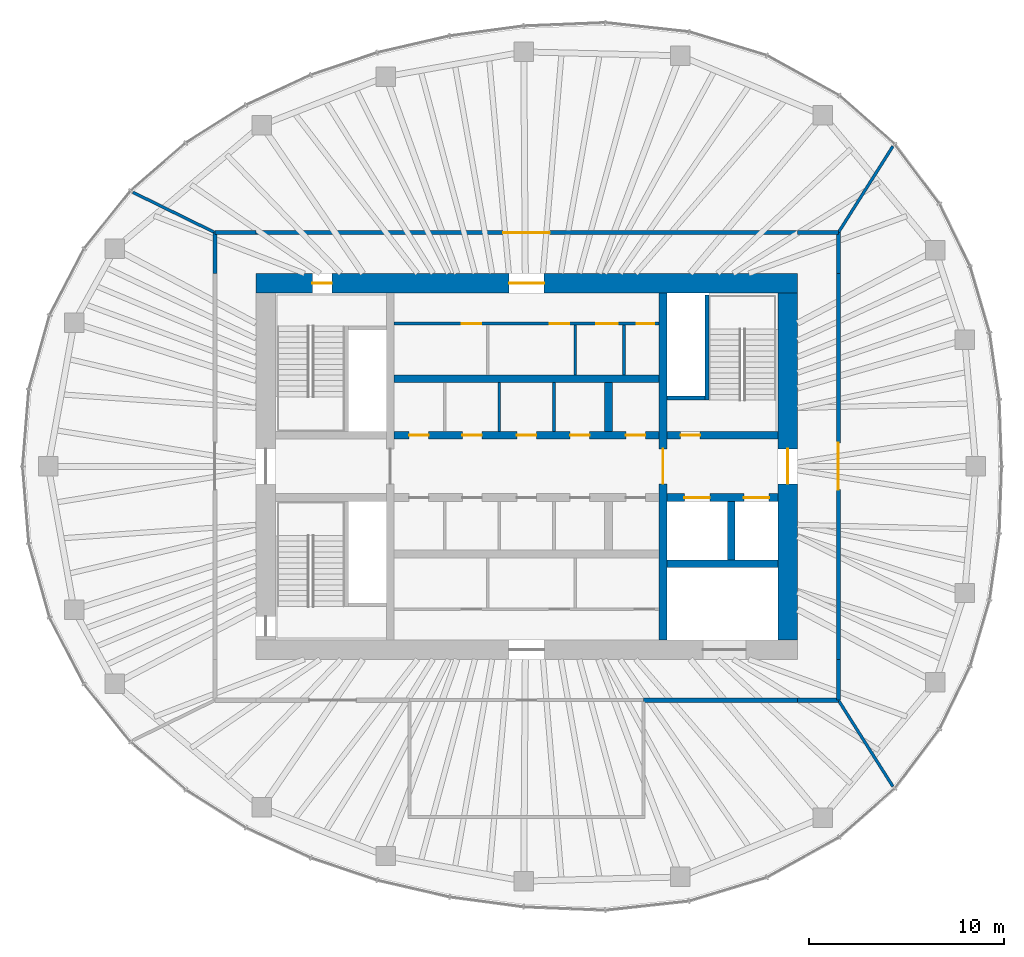
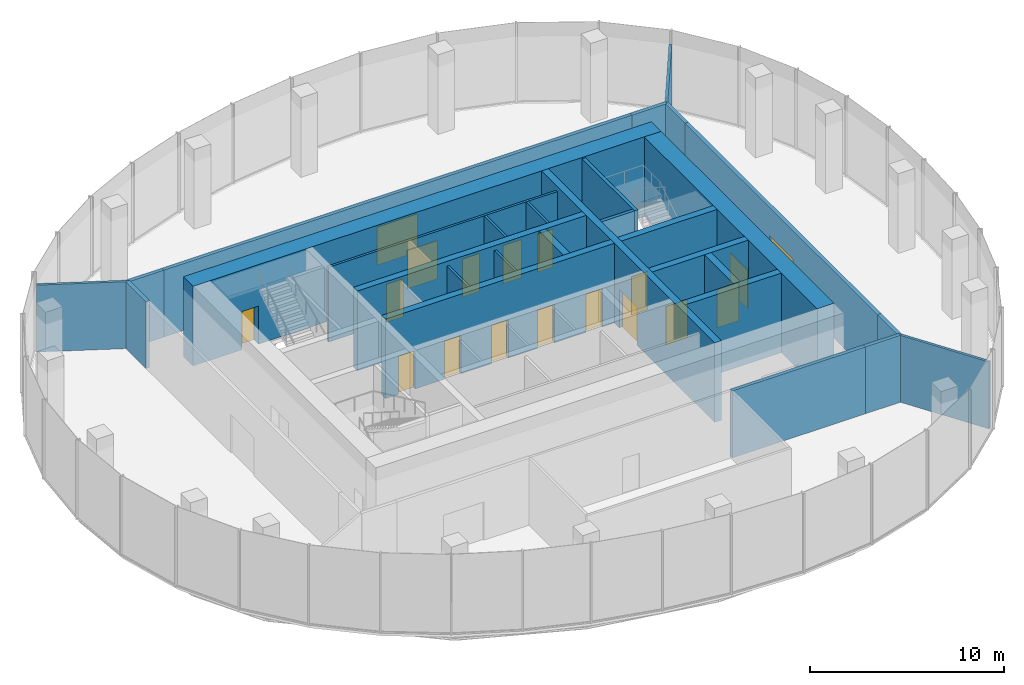
# One storey, part 9 of 11: 29 walls, 18 doors, 18 openings.
"""IFC4 building model written with IfcOpenShell, lengths in metres."""

from ifc_helpers import new_model, si_unit, direction, frame, frame_2d, origin, place, context, subcontext, project, spatial, rectangle, extrude, material, layer, layer_set, type_object, element, fill, save


model = new_model("IFC4")

# Units and contexts
model_context = context("Model", 3, precision=1e-05, world=origin(), true_north=direction((0.0, 1.0)))
body_context = subcontext(model_context, "Body", "Model", "MODEL_VIEW")
ifc_project = project(units=[si_unit("LENGTHUNIT", "METRE"), si_unit("AREAUNIT", "SQUARE_METRE"), si_unit("VOLUMEUNIT", "CUBIC_METRE"), si_unit("PLANEANGLEUNIT", "RADIAN"), si_unit("MASSUNIT", "GRAM", prefix="KILO")], contexts=[model_context])

# Site, building, storey
site_placement = place(None, origin())
site = spatial("IfcSite", under=ifc_project, at=site_placement, CompositionType="ELEMENT")
building_placement = place(site_placement, origin())
building = spatial("IfcBuilding", under=site, at=building_placement, Name="Ghaith Harvest Tower", CompositionType="ELEMENT")
storey_placement = place(building_placement, frame((0.0, 0.0, 344.199951171875)))
storey = spatial("IfcBuildingStorey", under=building, at=storey_placement, Name="L77", CompositionType="ELEMENT", Elevation=344.199951171875)

# Wall
ifc_material_1 = material(Name="Concrete blockwork, 1-hour", Category="masonry")
ifc_layer_1 = layer(ifc_material_1, 0.215087890625)
ifc_layer_set_1 = layer_set([ifc_layer_1], Name="BLOCKWORK WALL 215")
wall_type_1 = type_object("IfcWallType", Name="BLOCKWORK WALL 215", PredefinedType="PARTITIONING", material=ifc_layer_set_1)
wall_1_placement = place(storey_placement, frame((16.0, 12.0, 0.0), z_axis=(0.0, 0.0, 1.0), x_axis=(-1.0, 0.0, 0.0)))
element("IfcWall", 1, at=wall_1_placement, inside=storey, type_object=wall_type_1, Name="Plant room wall L77", PredefinedType="PARTITIONING", context=body_context, shape_type="SweptSolid", body=[
    extrude(rectangle(XDim=2.10009765625, YDim=0.215087890625, at=frame_2d((1.050048828125, 0.0))), origin(), (0.0, 0.0, 1.0), 4.199951171875),
])

# Wall, opening, door
wall_2_placement = place(storey_placement, frame((13.89990234375, 12.0, 0.0), z_axis=(0.0, 0.0, 1.0), x_axis=(-1.0, 0.0, 0.0)))
wall_2 = element("IfcWall", 2, at=wall_2_placement, inside=storey, type_object=wall_type_1, Name="Plant room wall L77", PredefinedType="PARTITIONING", context=body_context, shape_type="SweptSolid", body=[
    extrude(rectangle(XDim=27.7998046875, YDim=0.215087890625, at=frame_2d((13.89990234375, 0.0))), origin(), (0.0, 0.0, 1.0), 4.199951171875),
])
opening_1_placement = place(wall_2_placement, frame((12.699951171875, 0.0, 0.0)))
opening_1 = element("IfcOpeningElement", 3, at=opening_1_placement, cuts=wall_2, Name="Opening 77-031", PredefinedType="OPENING", context=body_context, shape_type="SweptSolid", body=[
    extrude(rectangle(XDim=2.39990234375, YDim=2.39990234375, at=frame_2d((1.199951171875, 1.199951171875))), frame((0.0, 0.11767578125, 0.0), z_axis=(0.0, -1.0, 0.0), x_axis=(1.0, 0.0, 0.0)), (0.0, 0.0, 1.0), 0.235107421875),
])
ifc_material_2 = material(Name="Timber door", Category="wood")
door_type_1 = type_object("IfcDoorType", Name="D10 PLANT PAIR 2400x2400", OperationType="DOUBLE_DOOR_SINGLE_SWING", PredefinedType="DOOR", material=ifc_material_2)
door_1_placement = place(opening_1_placement, origin())
door_1 = element("IfcDoor", 4, at=door_1_placement, inside=storey, type_object=door_type_1, Name="Lantern plant room north door", OperationType="DOUBLE_DOOR_SINGLE_SWING", OverallHeight=2.39990234375, OverallWidth=2.39990234375, PredefinedType="DOOR", context=body_context, shape_type="SweptSolid", body=[
    extrude(rectangle(XDim=2.39990234375, YDim=2.39990234375, at=frame_2d((1.199951171875, 1.199951171875))), frame((0.0, 0.02490234375, 0.0), z_axis=(0.0, -1.0, 0.0), x_axis=(1.0, 0.0, 0.0)), (0.0, 0.0, 1.0), 0.050048828125),
])
fill(opening_1, door_1)

# Walls
for number, where, z_axis, x_axis, name in (
    (5, (-13.89990234375, 12.0, 0.0), (0.0, 0.0, 1.0), (-1.0, 0.0, 0.0), "Plant room wall L77"),
    (6, (16.0, -12.0, 0.0), (0.0, 0.0, 1.0), (0.0, 1.0, 0.0), "Plant room wall L77"),
):
    element("IfcWall", number, at=place(storey_placement, frame(where, z_axis=z_axis, x_axis=x_axis)), inside=storey, type_object=wall_type_1, Name=name, PredefinedType="PARTITIONING", context=body_context, shape_type="SweptSolid", body=[
        extrude(rectangle(XDim=2.10009765625, YDim=0.215087890625, at=frame_2d((1.050048828125, 0.0))), origin(), (0.0, 0.0, 1.0), 4.199951171875),
    ])

# Wall, opening, door
wall_3_placement = place(storey_placement, frame((16.0, -9.89990234375, 0.0), z_axis=(0.0, 0.0, 1.0), x_axis=(0.0, 1.0, 0.0)))
wall_3 = element("IfcWall", 7, at=wall_3_placement, inside=storey, type_object=wall_type_1, Name="Plant room wall L77", PredefinedType="PARTITIONING", context=body_context, shape_type="SweptSolid", body=[
    extrude(rectangle(XDim=19.7998046875, YDim=0.215087890625, at=frame_2d((9.89990234375, 0.0))), origin(), (0.0, 0.0, 1.0), 4.199951171875),
])
opening_2_placement = place(wall_3_placement, frame((8.699951171875, 0.0, 0.0)))
opening_2 = element("IfcOpeningElement", 8, at=opening_2_placement, cuts=wall_3, Name="Opening 77-032", PredefinedType="OPENING", context=body_context, shape_type="SweptSolid", body=[
    extrude(rectangle(XDim=2.39990234375, YDim=2.39990234375, at=frame_2d((1.199951171875, 1.199951171875))), frame((0.0, 0.11767578125, 0.0), z_axis=(0.0, -1.0, 0.0), x_axis=(1.0, 0.0, 0.0)), (0.0, 0.0, 1.0), 0.235107421875),
])
door_2_placement = place(opening_2_placement, origin())
door_2 = element("IfcDoor", 9, at=door_2_placement, inside=storey, type_object=door_type_1, Name="Smoke extract plant room east door", OperationType="DOUBLE_DOOR_SINGLE_SWING", OverallHeight=2.39990234375, OverallWidth=2.39990234375, PredefinedType="DOOR", context=body_context, shape_type="SweptSolid", body=[
    extrude(rectangle(XDim=2.39990234375, YDim=2.39990234375, at=frame_2d((1.199951171875, 1.199951171875))), frame((0.0, 0.02490234375, 0.0), z_axis=(0.0, -1.0, 0.0), x_axis=(1.0, 0.0, 0.0)), (0.0, 0.0, 1.0), 0.050048828125),
])
fill(opening_2, door_2)

# Walls
wall_4_placement = place(storey_placement, frame((16.0, 9.89990234375, 0.0), z_axis=(0.0, 0.0, 1.0), x_axis=(0.0, 1.0, 0.0)))
element("IfcWall", 10, at=wall_4_placement, inside=storey, type_object=wall_type_1, Name="Plant room wall L77", PredefinedType="PARTITIONING", context=body_context, shape_type="SweptSolid", body=[
    extrude(rectangle(XDim=2.10009765625, YDim=0.215087890625, at=frame_2d((1.050048828125, 0.0))), origin(), (0.0, 0.0, 1.0), 4.199951171875),
])
wall_5_placement = place(storey_placement, frame((6.0, -12.0, 0.0), z_axis=(0.0, 0.0, 1.0), x_axis=(1.0, 0.0, 0.0)))
element("IfcWall", 11, at=wall_5_placement, inside=storey, type_object=wall_type_1, Name="Plant room wall L77", PredefinedType="PARTITIONING", context=body_context, shape_type="SweptSolid", body=[
    extrude(rectangle(XDim=7.89990234375, YDim=0.215087890625, at=frame_2d((3.949951171875, 0.0))), origin(), (0.0, 0.0, 1.0), 4.199951171875),
])
for number, where, z_axis, x_axis, name in (
    (12, (13.89990234375, -12.0, 0.0), (0.0, 0.0, 1.0), (1.0, 0.0, 0.0), "Plant room wall L77"),
    (13, (-16.0, 12.0, 0.0), (0.0, 0.0, 1.0), (0.0, -1.0, 0.0), "Plant room wall L77"),
):
    element("IfcWall", number, at=place(storey_placement, frame(where, z_axis=z_axis, x_axis=x_axis)), inside=storey, type_object=wall_type_1, Name=name, PredefinedType="PARTITIONING", context=body_context, shape_type="SweptSolid", body=[
        extrude(rectangle(XDim=2.10009765625, YDim=0.215087890625, at=frame_2d((1.050048828125, 0.0))), origin(), (0.0, 0.0, 1.0), 4.199951171875),
    ])

# Wall, openings, doors
ifc_material_3 = material(Name="Concrete blockwork, fair-faced", Category="masonry")
ifc_layer_2 = layer(ifc_material_3, 0.139892578125)
ifc_layer_set_2 = layer_set([ifc_layer_2], Name="CORE PARTITION 140")
wall_type_2 = type_object("IfcWallType", Name="CORE PARTITION 140", PredefinedType="PARTITIONING", material=ifc_layer_set_2)
wall_6_placement = place(storey_placement, frame((-6.800048828125, 7.330078125, 0.0), z_axis=(0.0, 0.0, 1.0), x_axis=(1.0, 0.0, 0.0)))
wall_6 = element("IfcWall", 14, at=wall_6_placement, inside=storey, type_object=wall_type_2, Name="Core partition L77", PredefinedType="PARTITIONING", context=body_context, shape_type="SweptSolid", body=[
    extrude(rectangle(XDim=13.60009765625, YDim=0.139892578125, at=frame_2d((6.800048828125, 0.0))), origin(), (0.0, 0.0, 1.0), 4.699951171875),
])
opening_3_placement = place(wall_6_placement, frame((3.47998046875, 0.0, 0.0)))
opening_3 = element("IfcOpeningElement", 15, at=opening_3_placement, cuts=wall_6, Name="Opening 77-008", PredefinedType="OPENING", context=body_context, shape_type="SweptSolid", body=[
    extrude(rectangle(XDim=1.0, YDim=2.39990234375, at=frame_2d((0.5, 1.199951171875))), frame((0.0, 0.080078125, 0.0), z_axis=(0.0, -1.0, 0.0), x_axis=(1.0, 0.0, 0.0)), (0.0, 0.0, 1.0), 0.159912109375),
])
opening_4_placement = place(wall_6_placement, frame((7.97998046875, 0.0, 0.0)))
opening_4 = element("IfcOpeningElement", 16, at=opening_4_placement, cuts=wall_6, Name="Opening 77-009", PredefinedType="OPENING", context=body_context, shape_type="SweptSolid", body=[
    extrude(rectangle(XDim=1.0, YDim=2.39990234375, at=frame_2d((0.5, 1.199951171875))), frame((0.0, 0.080078125, 0.0), z_axis=(0.0, -1.0, 0.0), x_axis=(1.0, 0.0, 0.0)), (0.0, 0.0, 1.0), 0.159912109375),
])
opening_5_placement = place(wall_6_placement, frame((10.3798828125, 0.0, 0.0)))
opening_5 = element("IfcOpeningElement", 17, at=opening_5_placement, cuts=wall_6, Name="Opening 77-010", PredefinedType="OPENING", context=body_context, shape_type="SweptSolid", body=[
    extrude(rectangle(XDim=1.10009765625, YDim=2.39990234375, at=frame_2d((0.550048828125, 1.199951171875))), frame((0.0, 0.080078125, 0.0), z_axis=(0.0, -1.0, 0.0), x_axis=(1.0, 0.0, 0.0)), (0.0, 0.0, 1.0), 0.159912109375),
])
opening_6_placement = place(wall_6_placement, frame((12.449951171875, 0.0, 0.0)))
opening_6 = element("IfcOpeningElement", 18, at=opening_6_placement, cuts=wall_6, Name="Opening 77-011", PredefinedType="OPENING", context=body_context, shape_type="SweptSolid", body=[
    extrude(rectangle(XDim=0.89990234375, YDim=2.39990234375, at=frame_2d((0.449951171875, 1.199951171875))), frame((0.0, 0.080078125, 0.0), z_axis=(0.0, -1.0, 0.0), x_axis=(1.0, 0.0, 0.0)), (0.0, 0.0, 1.0), 0.159912109375),
])
ifc_material_4 = material(Name="Steel fire door", Category="steel")
door_type_2 = type_object("IfcDoorType", Name="D3 FD90 1000x2400", OperationType="SINGLE_SWING_LEFT", PredefinedType="DOOR", material=ifc_material_4)
door_3_placement = place(opening_3_placement, origin())
door_3 = element("IfcDoor", 19, at=door_3_placement, inside=storey, type_object=door_type_2, Name="Male WC door", OperationType="SINGLE_SWING_LEFT", OverallHeight=2.39990234375, OverallWidth=1.0, PredefinedType="DOOR", context=body_context, shape_type="SweptSolid", body=[
    extrude(rectangle(XDim=1.0, YDim=2.39990234375, at=frame_2d((0.5, 1.199951171875))), frame((0.0, 0.02490234375, 0.0), z_axis=(0.0, -1.0, 0.0), x_axis=(1.0, 0.0, 0.0)), (0.0, 0.0, 1.0), 0.050048828125),
])
fill(opening_3, door_3)
door_4_placement = place(opening_4_placement, origin())
door_4 = element("IfcDoor", 20, at=door_4_placement, inside=storey, type_object=door_type_2, Name="Female WC door", OperationType="SINGLE_SWING_RIGHT", OverallHeight=2.39990234375, OverallWidth=1.0, PredefinedType="DOOR", context=body_context, shape_type="SweptSolid", body=[
    extrude(rectangle(XDim=1.0, YDim=2.39990234375, at=frame_2d((0.5, 1.199951171875))), frame((0.0, 0.02490234375, 0.0), z_axis=(0.0, -1.0, 0.0), x_axis=(1.0, 0.0, 0.0)), (0.0, 0.0, 1.0), 0.050048828125),
])
fill(opening_4, door_4)
ifc_material_5 = material(Name="Steel fire door", Category="steel")
door_type_3 = type_object("IfcDoorType", Name="D5 FD90 900x2400", OperationType="SINGLE_SWING_LEFT", PredefinedType="DOOR", material=ifc_material_5)
door_5_placement = place(opening_6_placement, origin())
door_5 = element("IfcDoor", 21, at=door_5_placement, inside=storey, type_object=door_type_3, Name="Cleaner's store door", OperationType="SINGLE_SWING_RIGHT", OverallHeight=2.39990234375, OverallWidth=0.89990234375, PredefinedType="DOOR", context=body_context, shape_type="SweptSolid", body=[
    extrude(rectangle(XDim=0.89990234375, YDim=2.39990234375, at=frame_2d((0.449951171875, 1.199951171875))), frame((0.0, 0.02490234375, 0.0), z_axis=(0.0, -1.0, 0.0), x_axis=(1.0, 0.0, 0.0)), (0.0, 0.0, 1.0), 0.050048828125),
])
fill(opening_6, door_5)
ifc_material_6 = material(Name="Steel fire door", Category="steel")
door_type_4 = type_object("IfcDoorType", Name="D9 FD90 1100x2400", OperationType="SINGLE_SWING_LEFT", PredefinedType="DOOR", material=ifc_material_6)
door_6_placement = place(opening_5_placement, origin())
door_6 = element("IfcDoor", 22, at=door_6_placement, inside=storey, type_object=door_type_4, Name="Accessible WC door", OperationType="SINGLE_SWING_RIGHT", OverallHeight=2.39990234375, OverallWidth=1.10009765625, PredefinedType="DOOR", context=body_context, shape_type="SweptSolid", body=[
    extrude(rectangle(XDim=1.10009765625, YDim=2.39990234375, at=frame_2d((0.550048828125, 1.199951171875))), frame((0.0, 0.02490234375, 0.0), z_axis=(0.0, -1.0, 0.0), x_axis=(1.0, 0.0, 0.0)), (0.0, 0.0, 1.0), 0.050048828125),
])
fill(opening_5, door_6)

# Walls
for number, where, z_axis, x_axis, name in (
    (23, (2.5, 4.699951171875, 0.0), (0.0, 0.0, 1.0), (0.0, 1.0, 0.0), "Core partition L77"),
    (24, (5.0, 4.699951171875, 0.0), (0.0, 0.0, 1.0), (0.0, 1.0, 0.0), "Core partition L77"),
):
    element("IfcWall", number, at=place(storey_placement, frame(where, z_axis=z_axis, x_axis=x_axis)), inside=storey, type_object=wall_type_2, Name=name, PredefinedType="PARTITIONING", context=body_context, shape_type="SweptSolid", body=[
        extrude(rectangle(XDim=2.56005859375, YDim=0.139892578125, at=frame_2d((1.280029296875, 0.0))), origin(), (0.0, 0.0, 1.0), 4.699951171875),
    ])
for number, where, z_axis, x_axis, name in (
    (25, (-1.39990234375, 1.800048828125, 0.0), (0.0, 0.0, 1.0), (0.0, 1.0, 0.0), "Core partition L77"),
    (26, (1.39990234375, 1.800048828125, 0.0), (0.0, 0.0, 1.0), (0.0, 1.0, 0.0), "Core partition L77"),
):
    element("IfcWall", number, at=place(storey_placement, frame(where, z_axis=z_axis, x_axis=x_axis)), inside=storey, type_object=wall_type_2, Name=name, PredefinedType="PARTITIONING", context=body_context, shape_type="SweptSolid", body=[
        extrude(rectangle(XDim=2.5, YDim=0.139892578125, at=frame_2d((1.25, 0.0))), origin(), (0.0, 0.0, 1.0), 4.699951171875),
    ])

# Wall, openings, doors
ifc_material_7 = material(Name="Concrete C50/60", Category="concrete")
ifc_layer_3 = layer(ifc_material_7, 1.0)
ifc_layer_set_3 = layer_set([ifc_layer_3], Name="CORE WALL CW1000")
wall_type_3 = type_object("IfcWallType", Name="CORE WALL CW1000", PredefinedType="SHEAR", material=ifc_layer_set_3)
wall_7_placement = place(storey_placement, frame((13.89990234375, 9.39990234375, 0.0), z_axis=(0.0, 0.0, 1.0), x_axis=(-1.0, 0.0, 0.0)))
wall_7 = element("IfcWall", 27, at=wall_7_placement, inside=storey, type_object=wall_type_3, Name="Core wall N L77", PredefinedType="SHEAR", context=body_context, shape_type="SweptSolid", body=[
    extrude(rectangle(XDim=27.7998046875, YDim=1.0, at=frame_2d((13.89990234375, 0.0))), origin(), (0.0, 0.0, 1.0), 5.0),
])
opening_7_placement = place(wall_7_placement, frame((23.89990234375, 0.0, 0.0)))
opening_7 = element("IfcOpeningElement", 28, at=opening_7_placement, cuts=wall_7, Name="Opening 77-005", PredefinedType="OPENING", context=body_context, shape_type="SweptSolid", body=[
    extrude(rectangle(XDim=1.0, YDim=2.39990234375, at=frame_2d((0.5, 1.199951171875))), frame((0.0, 0.510009765625, 0.0), z_axis=(0.0, -1.0, 0.0), x_axis=(1.0, 0.0, 0.0)), (0.0, 0.0, 1.0), 1.02001953125),
])
opening_8_placement = place(wall_7_placement, frame((13.0, 0.0, 0.0)))
opening_8 = element("IfcOpeningElement", 29, at=opening_8_placement, cuts=wall_7, Name="Opening 77-025", PredefinedType="OPENING", context=body_context, shape_type="SweptSolid", body=[
    extrude(rectangle(XDim=1.800048828125, YDim=2.39990234375, at=frame_2d((0.89990234375, 1.199951171875))), frame((0.0, 0.510009765625, 0.0), z_axis=(0.0, -1.0, 0.0), x_axis=(1.0, 0.0, 0.0)), (0.0, 0.0, 1.0), 1.02001953125),
])
door_7_placement = place(opening_7_placement, origin())
door_7 = element("IfcDoor", 30, at=door_7_placement, inside=storey, type_object=door_type_2, Name="Stair ST1 door", OperationType="SINGLE_SWING_RIGHT", OverallHeight=2.39990234375, OverallWidth=1.0, PredefinedType="DOOR", context=body_context, shape_type="SweptSolid", body=[
    extrude(rectangle(XDim=1.0, YDim=2.39990234375, at=frame_2d((0.5, 1.199951171875))), frame((0.0, 0.02490234375, 0.0), z_axis=(0.0, -1.0, 0.0), x_axis=(1.0, 0.0, 0.0)), (0.0, 0.0, 1.0), 0.050048828125),
])
fill(opening_7, door_7)
ifc_material_8 = material(Name="Steel fire door", Category="steel")
door_type_5 = type_object("IfcDoorType", Name="D4 FD90 PAIR 1800x2400", OperationType="DOUBLE_DOOR_SINGLE_SWING", PredefinedType="DOOR", material=ifc_material_8)
door_8_placement = place(opening_8_placement, origin())
door_8 = element("IfcDoor", 31, at=door_8_placement, inside=storey, type_object=door_type_5, Name="Core service corridor doors", OperationType="DOUBLE_DOOR_SINGLE_SWING", OverallHeight=2.39990234375, OverallWidth=1.800048828125, PredefinedType="DOOR", context=body_context, shape_type="SweptSolid", body=[
    extrude(rectangle(XDim=1.800048828125, YDim=2.39990234375, at=frame_2d((0.89990234375, 1.199951171875))), frame((0.0, 0.02490234375, 0.0), z_axis=(0.0, -1.0, 0.0), x_axis=(1.0, 0.0, 0.0)), (0.0, 0.0, 1.0), 0.050048828125),
])
fill(opening_8, door_8)

# Wall, opening, door
wall_8_placement = place(storey_placement, frame((13.39990234375, -8.89990234375, 0.0), z_axis=(0.0, 0.0, 1.0), x_axis=(0.0, 1.0, 0.0)))
wall_8 = element("IfcWall", 32, at=wall_8_placement, inside=storey, type_object=wall_type_3, Name="Core wall E L77", PredefinedType="SHEAR", context=body_context, shape_type="SweptSolid", body=[
    extrude(rectangle(XDim=17.7998046875, YDim=1.0, at=frame_2d((8.89990234375, 0.0))), origin(), (0.0, 0.0, 1.0), 5.0),
])
opening_9_placement = place(wall_8_placement, frame((8.0, 0.0, 0.0)))
opening_9 = element("IfcOpeningElement", 33, at=opening_9_placement, cuts=wall_8, Name="Opening 77-002", PredefinedType="OPENING", context=body_context, shape_type="SweptSolid", body=[
    extrude(rectangle(XDim=1.800048828125, YDim=2.39990234375, at=frame_2d((0.89990234375, 1.199951171875))), frame((0.0, 0.510009765625, 0.0), z_axis=(0.0, -1.0, 0.0), x_axis=(1.0, 0.0, 0.0)), (0.0, 0.0, 1.0), 1.02001953125),
])
door_9_placement = place(opening_9_placement, origin())
door_9 = element("IfcDoor", 34, at=door_9_placement, inside=storey, type_object=door_type_5, Name="Fire-fighting lobby doors", OperationType="DOUBLE_DOOR_SINGLE_SWING", OverallHeight=2.39990234375, OverallWidth=1.800048828125, PredefinedType="DOOR", context=body_context, shape_type="SweptSolid", body=[
    extrude(rectangle(XDim=1.800048828125, YDim=2.39990234375, at=frame_2d((0.89990234375, 1.199951171875))), frame((0.0, 0.02490234375, 0.0), z_axis=(0.0, -1.0, 0.0), x_axis=(1.0, 0.0, 0.0)), (0.0, 0.0, 1.0), 0.050048828125),
])
fill(opening_9, door_9)

# Walls
ifc_material_9 = material(Name="Gypsum board on steel studs", Category="steel")
ifc_layer_4 = layer(ifc_material_9, 0.14990234375)
ifc_layer_set_4 = layer_set([ifc_layer_4], Name="PARTITION 150")
wall_type_4 = type_object("IfcWallType", Name="PARTITION 150", PredefinedType="PARTITIONING", material=ifc_layer_set_4)
wall_9_placement = place(storey_placement, frame((-16.017822265625, 12.0087890625, 0.0), z_axis=(0.0, 0.0, 1.0), x_axis=(-0.897771840996, 0.440460805879, 0.0)))
element("IfcWall", 35, at=wall_9_placement, inside=storey, type_object=wall_type_4, Name="Partition L77 zone division", PredefinedType="PARTITIONING", context=body_context, shape_type="SweptSolid", body=[
    extrude(rectangle(XDim=4.66552734375, YDim=0.14990234375, at=frame_2d((2.332763671875, 0.0))), origin(), (0.0, 0.0, 1.0), 4.199951171875),
])
for number, where, z_axis, x_axis, name in (
    (36, (16.0107421875, -12.016845703125, 0.0), (0.0, 0.0, 1.0), (0.53415837449, -0.845384427916, 0.0), "Partition L77 zone division"),
    (37, (16.0107421875, 12.016845703125, 0.0), (0.0, 0.0, 1.0), (0.53415837449, 0.845384427916, 0.0), "Partition L77 zone division"),
):
    element("IfcWall", number, at=place(storey_placement, frame(where, z_axis=z_axis, x_axis=x_axis)), inside=storey, type_object=wall_type_4, Name=name, PredefinedType="PARTITIONING", context=body_context, shape_type="SweptSolid", body=[
        extrude(rectangle(XDim=5.220458984375, YDim=0.14990234375, at=frame_2d((2.6103515625, 0.0))), origin(), (0.0, 0.0, 1.0), 4.199951171875),
    ])

# Wall, opening, door
ifc_material_10 = material(Name="Concrete C70/85", Category="concrete")
ifc_layer_5 = layer(ifc_material_10, 0.39990234375)
ifc_layer_set_5 = layer_set([ifc_layer_5], Name="SHAFT WALL 400")
wall_type_5 = type_object("IfcWallType", Name="SHAFT WALL 400", PredefinedType="SHEAR", material=ifc_layer_set_5)
wall_10_placement = place(storey_placement, frame((7.0, -8.89990234375, 0.0), z_axis=(0.0, 0.0, 1.0), x_axis=(0.0, 1.0, 0.0)))
wall_10 = element("IfcWall", 38, at=wall_10_placement, inside=storey, type_object=wall_type_5, Name="Shaft wall W7E L77", PredefinedType="SHEAR", context=body_context, shape_type="SweptSolid", body=[
    extrude(rectangle(XDim=17.7998046875, YDim=0.39990234375, at=frame_2d((8.89990234375, 0.0))), origin(), (0.0, 0.0, 1.0), 5.0),
])
opening_10_placement = place(wall_10_placement, frame((8.0, 0.0, 0.0)))
opening_10 = element("IfcOpeningElement", 39, at=opening_10_placement, cuts=wall_10, Name="Opening 77-004", PredefinedType="OPENING", context=body_context, shape_type="SweptSolid", body=[
    extrude(rectangle(XDim=1.800048828125, YDim=2.39990234375, at=frame_2d((0.89990234375, 1.199951171875))), frame((0.0, 0.2099609375, 0.0), z_axis=(0.0, -1.0, 0.0), x_axis=(1.0, 0.0, 0.0)), (0.0, 0.0, 1.0), 0.419921875),
])
door_10_placement = place(opening_10_placement, origin())
door_10 = element("IfcDoor", 40, at=door_10_placement, inside=storey, type_object=door_type_5, Name="Lift lobby doors, east", OperationType="DOUBLE_DOOR_SINGLE_SWING", OverallHeight=2.39990234375, OverallWidth=1.800048828125, PredefinedType="DOOR", context=body_context, shape_type="SweptSolid", body=[
    extrude(rectangle(XDim=1.800048828125, YDim=2.39990234375, at=frame_2d((0.89990234375, 1.199951171875))), frame((0.0, 0.02490234375, 0.0), z_axis=(0.0, -1.0, 0.0), x_axis=(1.0, 0.0, 0.0)), (0.0, 0.0, 1.0), 0.050048828125),
])
fill(opening_10, door_10)

# Wall, openings, doors
wall_11_placement = place(storey_placement, frame((-6.800048828125, 1.60009765625, 0.0), z_axis=(0.0, 0.0, 1.0), x_axis=(1.0, 0.0, 0.0)))
wall_11 = element("IfcWall", 41, at=wall_11_placement, inside=storey, type_object=wall_type_5, Name="Shaft wall LN L77", PredefinedType="SHEAR", context=body_context, shape_type="SweptSolid", body=[
    extrude(rectangle(XDim=13.60009765625, YDim=0.39990234375, at=frame_2d((6.800048828125, 0.0))), origin(), (0.0, 0.0, 1.0), 5.0),
])
opening_11_placement = place(wall_11_placement, frame((0.764892578125, 0.0, 0.0)))
opening_11 = element("IfcOpeningElement", 42, at=opening_11_placement, cuts=wall_11, Name="Opening 77-015", PredefinedType="OPENING", context=body_context, shape_type="SweptSolid", body=[
    extrude(rectangle(XDim=1.0, YDim=2.39990234375, at=frame_2d((0.5, 1.199951171875))), frame((0.0, 0.2099609375, 0.0), z_axis=(0.0, -1.0, 0.0), x_axis=(1.0, 0.0, 0.0)), (0.0, 0.0, 1.0), 0.419921875),
])
opening_12_placement = place(wall_11_placement, frame((3.5, 0.0, 0.0)))
opening_12 = element("IfcOpeningElement", 43, at=opening_12_placement, cuts=wall_11, Name="Opening 77-016", PredefinedType="OPENING", context=body_context, shape_type="SweptSolid", body=[
    extrude(rectangle(XDim=1.0, YDim=2.39990234375, at=frame_2d((0.5, 1.199951171875))), frame((0.0, 0.2099609375, 0.0), z_axis=(0.0, -1.0, 0.0), x_axis=(1.0, 0.0, 0.0)), (0.0, 0.0, 1.0), 0.419921875),
])
opening_13_placement = place(wall_11_placement, frame((6.300048828125, 0.0, 0.0)))
opening_13 = element("IfcOpeningElement", 44, at=opening_13_placement, cuts=wall_11, Name="Opening 77-017", PredefinedType="OPENING", context=body_context, shape_type="SweptSolid", body=[
    extrude(rectangle(XDim=1.0, YDim=2.39990234375, at=frame_2d((0.5, 1.199951171875))), frame((0.0, 0.2099609375, 0.0), z_axis=(0.0, -1.0, 0.0), x_axis=(1.0, 0.0, 0.0)), (0.0, 0.0, 1.0), 0.419921875),
])
opening_14_placement = place(wall_11_placement, frame((9.034912109375, 0.0, 0.0)))
opening_14 = element("IfcOpeningElement", 45, at=opening_14_placement, cuts=wall_11, Name="Opening 77-018", PredefinedType="OPENING", context=body_context, shape_type="SweptSolid", body=[
    extrude(rectangle(XDim=1.0, YDim=2.39990234375, at=frame_2d((0.5, 1.199951171875))), frame((0.0, 0.2099609375, 0.0), z_axis=(0.0, -1.0, 0.0), x_axis=(1.0, 0.0, 0.0)), (0.0, 0.0, 1.0), 0.419921875),
])
opening_15_placement = place(wall_11_placement, frame((11.89990234375, 0.0, 0.0)))
opening_15 = element("IfcOpeningElement", 46, at=opening_15_placement, cuts=wall_11, Name="Opening 77-023", PredefinedType="OPENING", context=body_context, shape_type="SweptSolid", body=[
    extrude(rectangle(XDim=1.0, YDim=2.39990234375, at=frame_2d((0.5, 1.199951171875))), frame((0.0, 0.2099609375, 0.0), z_axis=(0.0, -1.0, 0.0), x_axis=(1.0, 0.0, 0.0)), (0.0, 0.0, 1.0), 0.419921875),
])
door_11_placement = place(opening_11_placement, origin())
door_11 = element("IfcDoor", 47, at=door_11_placement, inside=storey, type_object=door_type_2, Name="Mechanical plant room door", OperationType="SINGLE_SWING_LEFT", OverallHeight=2.39990234375, OverallWidth=1.0, PredefinedType="DOOR", context=body_context, shape_type="SweptSolid", body=[
    extrude(rectangle(XDim=1.0, YDim=2.39990234375, at=frame_2d((0.5, 1.199951171875))), frame((0.0, 0.02490234375, 0.0), z_axis=(0.0, -1.0, 0.0), x_axis=(1.0, 0.0, 0.0)), (0.0, 0.0, 1.0), 0.050048828125),
])
fill(opening_11, door_11)
door_12_placement = place(opening_12_placement, origin())
door_12 = element("IfcDoor", 48, at=door_12_placement, inside=storey, type_object=door_type_2, Name="Electrical switch room door", OperationType="SINGLE_SWING_LEFT", OverallHeight=2.39990234375, OverallWidth=1.0, PredefinedType="DOOR", context=body_context, shape_type="SweptSolid", body=[
    extrude(rectangle(XDim=1.0, YDim=2.39990234375, at=frame_2d((0.5, 1.199951171875))), frame((0.0, 0.02490234375, 0.0), z_axis=(0.0, -1.0, 0.0), x_axis=(1.0, 0.0, 0.0)), (0.0, 0.0, 1.0), 0.050048828125),
])
fill(opening_12, door_12)
door_13_placement = place(opening_13_placement, origin())
door_13 = element("IfcDoor", 49, at=door_13_placement, inside=storey, type_object=door_type_2, Name="Mechanical plant room door", OperationType="SINGLE_SWING_LEFT", OverallHeight=2.39990234375, OverallWidth=1.0, PredefinedType="DOOR", context=body_context, shape_type="SweptSolid", body=[
    extrude(rectangle(XDim=1.0, YDim=2.39990234375, at=frame_2d((0.5, 1.199951171875))), frame((0.0, 0.02490234375, 0.0), z_axis=(0.0, -1.0, 0.0), x_axis=(1.0, 0.0, 0.0)), (0.0, 0.0, 1.0), 0.050048828125),
])
fill(opening_13, door_13)
door_14_placement = place(opening_14_placement, origin())
door_14 = element("IfcDoor", 50, at=door_14_placement, inside=storey, type_object=door_type_2, Name="Mechanical plant room door", OperationType="SINGLE_SWING_RIGHT", OverallHeight=2.39990234375, OverallWidth=1.0, PredefinedType="DOOR", context=body_context, shape_type="SweptSolid", body=[
    extrude(rectangle(XDim=1.0, YDim=2.39990234375, at=frame_2d((0.5, 1.199951171875))), frame((0.0, 0.02490234375, 0.0), z_axis=(0.0, -1.0, 0.0), x_axis=(1.0, 0.0, 0.0)), (0.0, 0.0, 1.0), 0.050048828125),
])
fill(opening_14, door_14)
door_15_placement = place(opening_15_placement, origin())
door_15 = element("IfcDoor", 51, at=door_15_placement, inside=storey, type_object=door_type_2, Name="Mechanical plant room door", OperationType="SINGLE_SWING_RIGHT", OverallHeight=2.39990234375, OverallWidth=1.0, PredefinedType="DOOR", context=body_context, shape_type="SweptSolid", body=[
    extrude(rectangle(XDim=1.0, YDim=2.39990234375, at=frame_2d((0.5, 1.199951171875))), frame((0.0, 0.02490234375, 0.0), z_axis=(0.0, -1.0, 0.0), x_axis=(1.0, 0.0, 0.0)), (0.0, 0.0, 1.0), 0.050048828125),
])
fill(opening_15, door_15)

# Wall
wall_12_placement = place(storey_placement, frame((-6.800048828125, 4.5, 0.0), z_axis=(0.0, 0.0, 1.0), x_axis=(1.0, 0.0, 0.0)))
element("IfcWall", 52, at=wall_12_placement, inside=storey, type_object=wall_type_5, Name="Shaft wall BN L77", PredefinedType="SHEAR", context=body_context, shape_type="SweptSolid", body=[
    extrude(rectangle(XDim=13.60009765625, YDim=0.39990234375, at=frame_2d((6.800048828125, 0.0))), origin(), (0.0, 0.0, 1.0), 5.0),
])

# Wall, opening, door
wall_13_placement = place(storey_placement, frame((7.199951171875, 1.60009765625, 0.0), z_axis=(0.0, 0.0, 1.0), x_axis=(1.0, 0.0, 0.0)))
wall_13 = element("IfcWall", 53, at=wall_13_placement, inside=storey, type_object=wall_type_5, Name="Shaft wall EN L77", PredefinedType="SHEAR", context=body_context, shape_type="SweptSolid", body=[
    extrude(rectangle(XDim=5.699951171875, YDim=0.39990234375, at=frame_2d((2.85009765625, 0.0))), origin(), (0.0, 0.0, 1.0), 5.0),
])
opening_16_placement = place(wall_13_placement, frame((0.699951171875, 0.0, 0.0)))
opening_16 = element("IfcOpeningElement", 54, at=opening_16_placement, cuts=wall_13, Name="Opening 77-007", PredefinedType="OPENING", context=body_context, shape_type="SweptSolid", body=[
    extrude(rectangle(XDim=1.0, YDim=2.39990234375, at=frame_2d((0.5, 1.199951171875))), frame((0.0, 0.2099609375, 0.0), z_axis=(0.0, -1.0, 0.0), x_axis=(1.0, 0.0, 0.0)), (0.0, 0.0, 1.0), 0.419921875),
])
door_16_placement = place(opening_16_placement, origin())
door_16 = element("IfcDoor", 55, at=door_16_placement, inside=storey, type_object=door_type_2, Name="Stair ST2 door", OperationType="SINGLE_SWING_LEFT", OverallHeight=2.39990234375, OverallWidth=1.0, PredefinedType="DOOR", context=body_context, shape_type="SweptSolid", body=[
    extrude(rectangle(XDim=1.0, YDim=2.39990234375, at=frame_2d((0.5, 1.199951171875))), frame((0.0, 0.02490234375, 0.0), z_axis=(0.0, -1.0, 0.0), x_axis=(1.0, 0.0, 0.0)), (0.0, 0.0, 1.0), 0.050048828125),
])
fill(opening_16, door_16)

# Wall, openings, doors
wall_14_placement = place(storey_placement, frame((7.199951171875, -1.60009765625, 0.0), z_axis=(0.0, 0.0, 1.0), x_axis=(1.0, 0.0, 0.0)))
wall_14 = element("IfcWall", 56, at=wall_14_placement, inside=storey, type_object=wall_type_5, Name="Shaft wall ES L77", PredefinedType="SHEAR", context=body_context, shape_type="SweptSolid", body=[
    extrude(rectangle(XDim=5.699951171875, YDim=0.39990234375, at=frame_2d((2.85009765625, 0.0))), origin(), (0.0, 0.0, 1.0), 5.0),
])
opening_17_placement = place(wall_14_placement, frame((0.89990234375, 0.0, 0.0)))
opening_17 = element("IfcOpeningElement", 57, at=opening_17_placement, cuts=wall_14, Name="Opening 77-027", PredefinedType="OPENING", context=body_context, shape_type="SweptSolid", body=[
    extrude(rectangle(XDim=1.300048828125, YDim=2.39990234375, at=frame_2d((0.64990234375, 1.199951171875))), frame((0.0, 0.2099609375, 0.0), z_axis=(0.0, -1.0, 0.0), x_axis=(1.0, 0.0, 0.0)), (0.0, 0.0, 1.0), 0.419921875),
])
opening_18_placement = place(wall_14_placement, frame((3.949951171875, 0.0, 0.0)))
opening_18 = element("IfcOpeningElement", 58, at=opening_18_placement, cuts=wall_14, Name="Opening 77-028", PredefinedType="OPENING", context=body_context, shape_type="SweptSolid", body=[
    extrude(rectangle(XDim=1.300048828125, YDim=2.39990234375, at=frame_2d((0.64990234375, 1.199951171875))), frame((0.0, 0.2099609375, 0.0), z_axis=(0.0, -1.0, 0.0), x_axis=(1.0, 0.0, 0.0)), (0.0, 0.0, 1.0), 0.419921875),
])
ifc_material_11 = material(Name="Steel fire door", Category="steel")
door_type_6 = type_object("IfcDoorType", Name="LD2 LANDING 1300x2400", OperationType="DOUBLE_DOOR_SLIDING", PredefinedType="DOOR", material=ifc_material_11)
door_17_placement = place(opening_17_placement, origin())
door_17 = element("IfcDoor", 59, at=door_17_placement, inside=storey, type_object=door_type_6, Name="Landing door, fire service lift FL1", OperationType="DOUBLE_DOOR_SLIDING", OverallHeight=2.39990234375, OverallWidth=1.300048828125, PredefinedType="DOOR", context=body_context, shape_type="SweptSolid", body=[
    extrude(rectangle(XDim=1.300048828125, YDim=2.39990234375, at=frame_2d((0.64990234375, 1.199951171875))), frame((0.0, 0.02490234375, 0.0), z_axis=(0.0, -1.0, 0.0), x_axis=(1.0, 0.0, 0.0)), (0.0, 0.0, 1.0), 0.050048828125),
])
fill(opening_17, door_17)
door_18_placement = place(opening_18_placement, origin())
door_18 = element("IfcDoor", 60, at=door_18_placement, inside=storey, type_object=door_type_6, Name="Landing door, fire service lift FL2", OperationType="DOUBLE_DOOR_SLIDING", OverallHeight=2.39990234375, OverallWidth=1.300048828125, PredefinedType="DOOR", context=body_context, shape_type="SweptSolid", body=[
    extrude(rectangle(XDim=1.300048828125, YDim=2.39990234375, at=frame_2d((0.64990234375, 1.199951171875))), frame((0.0, 0.02490234375, 0.0), z_axis=(0.0, -1.0, 0.0), x_axis=(1.0, 0.0, 0.0)), (0.0, 0.0, 1.0), 0.050048828125),
])
fill(opening_18, door_18)

# Walls
wall_15_placement = place(storey_placement, frame((10.5, -4.800048828125, 0.0), z_axis=(0.0, 0.0, 1.0), x_axis=(0.0, 1.0, 0.0)))
element("IfcWall", 61, at=wall_15_placement, inside=storey, type_object=wall_type_5, Name="Shaft wall FLD L77", PredefinedType="SHEAR", context=body_context, shape_type="SweptSolid", body=[
    extrude(rectangle(XDim=3.0, YDim=0.39990234375, at=frame_2d((1.5, 0.0))), origin(), (0.0, 0.0, 1.0), 5.0),
])
wall_16_placement = place(storey_placement, frame((7.199951171875, -5.0, 0.0), z_axis=(0.0, 0.0, 1.0), x_axis=(1.0, 0.0, 0.0)))
element("IfcWall", 62, at=wall_16_placement, inside=storey, type_object=wall_type_5, Name="Shaft wall FLB L77", PredefinedType="SHEAR", context=body_context, shape_type="SweptSolid", body=[
    extrude(rectangle(XDim=5.699951171875, YDim=0.39990234375, at=frame_2d((2.85009765625, 0.0))), origin(), (0.0, 0.0, 1.0), 5.0),
])
wall_17_placement = place(storey_placement, frame((4.199951171875, 1.800048828125, 0.0), z_axis=(0.0, 0.0, 1.0), x_axis=(0.0, 1.0, 0.0)))
element("IfcWall", 63, at=wall_17_placement, inside=storey, type_object=wall_type_5, Name="Shaft wall DN4 L77", PredefinedType="SHEAR", context=body_context, shape_type="SweptSolid", body=[
    extrude(rectangle(XDim=2.5, YDim=0.39990234375, at=frame_2d((1.25, 0.0))), origin(), (0.0, 0.0, 1.0), 5.0),
])
ifc_material_12 = material(Name="Concrete C40/50", Category="concrete")
ifc_layer_6 = layer(ifc_material_12, 0.199951171875)
ifc_layer_set_6 = layer_set([ifc_layer_6], Name="STAIR SPINE WALL RC200")
wall_type_6 = type_object("IfcWallType", Name="STAIR SPINE WALL RC200", PredefinedType="SOLIDWALL", material=ifc_layer_set_6)
wall_18_placement = place(storey_placement, frame((9.25, 3.39990234375, 0.0), z_axis=(0.0, 0.0, 1.0), x_axis=(0.0, 1.0, 0.0)))
element("IfcWall", 64, at=wall_18_placement, inside=storey, type_object=wall_type_6, Name="Stair ST2 spine wall L77", PredefinedType="SOLIDWALL", context=body_context, shape_type="SweptSolid", body=[
    extrude(rectangle(XDim=5.400146484375, YDim=0.199951171875, at=frame_2d((2.7001953125, 0.0))), origin(), (0.0, 0.0, 1.0), 5.0),
])
wall_19_placement = place(storey_placement, frame((9.14990234375, 3.5, 0.0), z_axis=(0.0, 0.0, 1.0), x_axis=(-1.0, 0.0, 0.0)))
element("IfcWall", 65, at=wall_19_placement, inside=storey, type_object=wall_type_6, Name="Stair ST2 spine wall return L77", PredefinedType="SOLIDWALL", context=body_context, shape_type="SweptSolid", body=[
    extrude(rectangle(XDim=1.949951171875, YDim=0.199951171875, at=frame_2d((0.97509765625, 0.0))), origin(), (0.0, 0.0, 1.0), 5.0),
])

save(model, "model.ifc")
